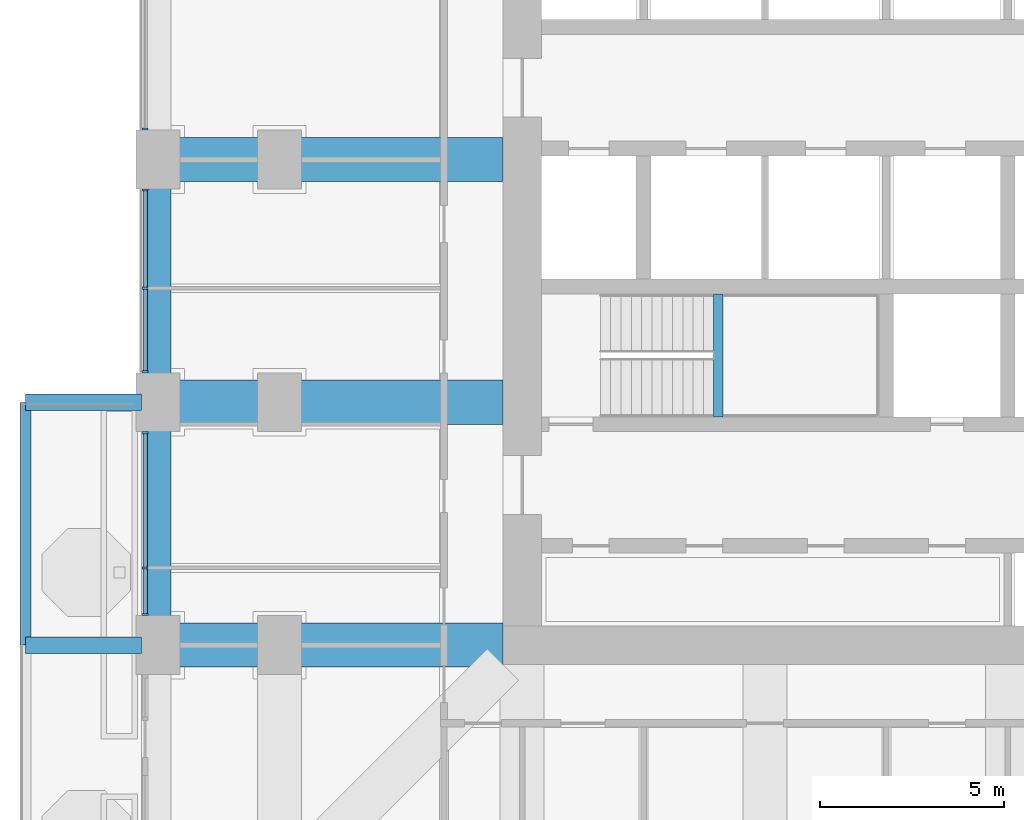
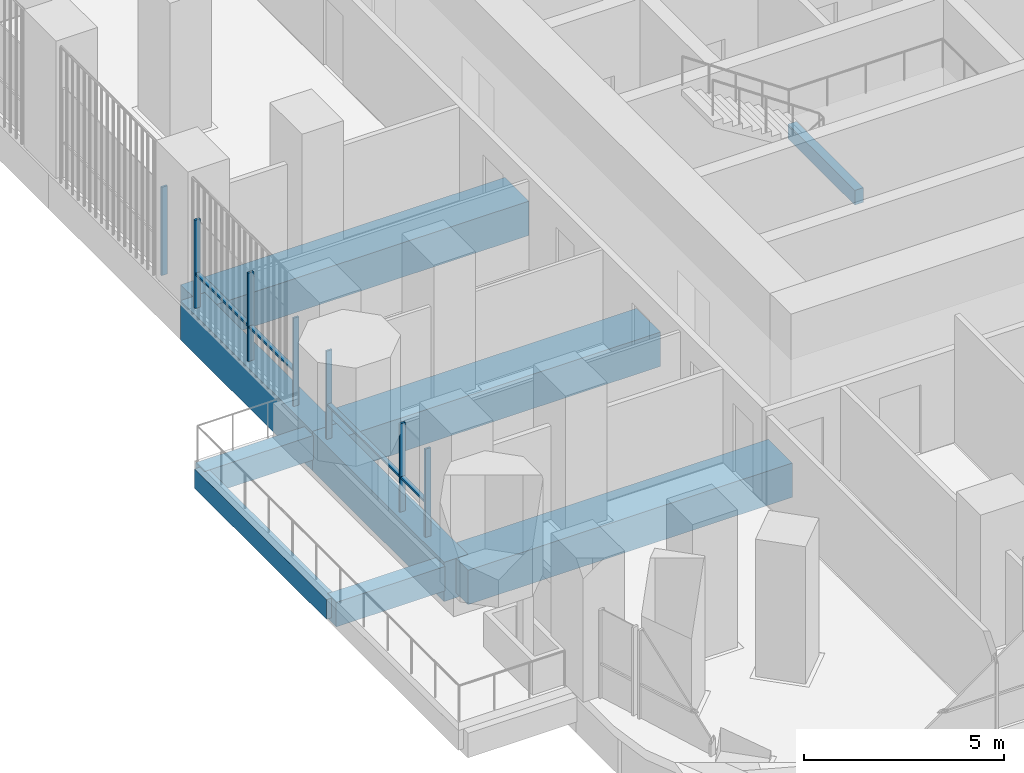
# One storey, part 4 of 21: 11 members, 9 beams, 3 elements without a shape of their own.
"""IFC4 building model written with IfcOpenShell, lengths in metres."""

from ifc_helpers import new_model, si_unit, direction, frame, origin, origin_2d, place, context, subcontext, project, spatial, rectangle, extrude, material, material_profile, profile_set, type_object, element, aggregate, save


model = new_model("IFC4")

# Units and contexts
model_context = context("Model", 3, precision=1e-05, world=origin(), true_north=direction((0.0, 1.0)))
body_context = subcontext(model_context, "Body", "Model", "MODEL_VIEW")
ifc_project = project(units=[si_unit("LENGTHUNIT", "METRE"), si_unit("AREAUNIT", "SQUARE_METRE"), si_unit("VOLUMEUNIT", "CUBIC_METRE"), si_unit("PLANEANGLEUNIT", "RADIAN"), si_unit("MASSUNIT", "GRAM", prefix="KILO")], contexts=[model_context])

# Site, building, storey
site_placement = place(None, origin())
site = spatial("IfcSite", under=ifc_project, at=site_placement, CompositionType="ELEMENT")
building_placement = place(site_placement, origin())
building = spatial("IfcBuilding", under=site, at=building_placement, Name="Cobogo Forest Laboratory Tower", CompositionType="ELEMENT")
storey_placement = place(building_placement, frame((0.0, 0.0, 99.0)))
storey = spatial("IfcBuildingStorey", under=building, at=storey_placement, Name="L22", CompositionType="ELEMENT", Elevation=99.0)

# Beams
ifc_material_1 = material(Name="Concrete HA-40 (C40/50)", Category="concrete")
ifc_material_profile_1 = material_profile(ifc_material_1, rectangle(XDim=0.449951171875, YDim=0.75, at=origin_2d()), Name="RC 450x750")
ifc_profile_set_1 = profile_set([ifc_material_profile_1], Name="Concrete HA-40 (C40/50)")
beam_type_1 = type_object("IfcBeamType", Name="Balcony cantilever beam 450x750", PredefinedType="BEAM", material=ifc_profile_set_1)
for number, where, z_axis, x_axis, name in (
    (1, (2.85009765625, 13.199951171875, -0.625), (-1.0, 0.0, 0.0), (0.0, -1.0, 0.0), "CB1 BAL-W1-C2 L22"),
    (2, (2.85009765625, 19.800048828125, -0.625), (-1.0, 0.0, 0.0), (0.0, -1.0, 0.0), "CB1 BAL-W1-C3 L22"),
):
    element("IfcBeam", number, at=place(storey_placement, frame(where, z_axis=z_axis, x_axis=x_axis)), inside=storey, type_object=beam_type_1, Name=name, PredefinedType="BEAM", context=body_context, shape_type="SweptSolid", body=[
        extrude(rectangle(XDim=0.449951171875, YDim=0.75, at=origin_2d()), origin(), (0.0, 0.0, 1.0), 3.150146484375),
    ])
ifc_material_profile_2 = material_profile(ifc_material_1, rectangle(XDim=0.300048828125, YDim=0.60009765625, at=origin_2d()), Name="RC 300x600")
ifc_profile_set_2 = profile_set([ifc_material_profile_2], Name="Concrete HA-40 (C40/50)")
beam_type_2 = type_object("IfcBeamType", Name="Balcony edge beam 300x600", PredefinedType="BEAM", material=ifc_profile_set_2)
beam_1_placement = place(storey_placement, frame((-0.300048828125, 13.199951171875, -0.550048828125), z_axis=(0.0, 1.0, 0.0), x_axis=(-1.0, 0.0, 0.0)))
element("IfcBeam", 3, at=beam_1_placement, inside=storey, type_object=beam_type_2, Name="BB1 BAL-W1-T2 L22", PredefinedType="BEAM", context=body_context, shape_type="SweptSolid", body=[
    extrude(rectangle(XDim=0.300048828125, YDim=0.60009765625, at=origin_2d()), origin(), (0.0, 0.0, 1.0), 6.60009765625),
])
ifc_material_profile_3 = material_profile(ifc_material_1, rectangle(XDim=0.25, YDim=0.449951171875, at=origin_2d()), Name="RC 250x450")
ifc_profile_set_3 = profile_set([ifc_material_profile_3], Name="Concrete HA-40 (C40/50)")
beam_type_3 = type_object("IfcBeamType", Name="LB1 landing beam 250x450", PredefinedType="BEAM", material=ifc_profile_set_3)
beam_2_placement = place(storey_placement, frame((18.530029296875, 19.39990234375, 1.675048828125), z_axis=(0.0, 1.0, 0.0), x_axis=(-1.0, 0.0, 0.0)))
element("IfcBeam", 4, at=beam_2_placement, inside=storey, type_object=beam_type_3, Name="Landing beam ST1 L22", PredefinedType="BEAM", context=body_context, shape_type="SweptSolid", body=[
    extrude(rectangle(XDim=0.25, YDim=0.449951171875, at=origin_2d()), origin(), (0.0, 0.0, 1.0), 3.35009765625),
])
ifc_material_profile_4 = material_profile(ifc_material_1, rectangle(XDim=1.199951171875, YDim=1.050048828125, at=origin_2d()), Name="RC 1200x1050")
ifc_profile_set_4 = profile_set([ifc_material_profile_4], Name="Concrete HA-40 (C40/50)")
beam_type_4 = type_object("IfcBeamType", Name="Laboratory floor wide beam 1200x1050", PredefinedType="BEAM", material=ifc_profile_set_4)
for number, where, z_axis, x_axis, name in (
    (5, (12.675048828125, 13.199951171875, -0.824951171875), (-1.0, 0.0, 0.0), (0.0, -1.0, 0.0), "RB1 R-C-W L22"),
    (6, (12.675048828125, 19.800048828125, -0.824951171875), (-1.0, 0.0, 0.0), (0.0, -1.0, 0.0), "RB1 R-D-W L22"),
    (7, (12.675048828125, 26.39990234375, -0.824951171875), (-1.0, 0.0, 0.0), (0.0, -1.0, 0.0), "RB1 R-E-W L22"),
):
    element("IfcBeam", number, at=place(storey_placement, frame(where, z_axis=z_axis, x_axis=x_axis)), inside=storey, type_object=beam_type_4, Name=name, PredefinedType="BEAM", context=body_context, shape_type="SweptSolid", body=[
        extrude(rectangle(XDim=1.199951171875, YDim=1.050048828125, at=origin_2d()), origin(), (0.0, 0.0, 1.0), 9.375),
    ])

# Curtain wall, member
ifc_material_2 = material(Name="Aluminium curtain wall", Category="aluminium")
curtain_wall_type = type_object("IfcCurtainWallType", Name="CW-1 unitised curtain wall, clear glazing, laboratory floors zones A and B", PredefinedType="USERDEFINED", material=ifc_material_2)
curtain_wall_1_placement = place(storey_placement, origin())
curtain_wall_1 = element("IfcCurtainWall", 8, at=curtain_wall_1_placement, inside=storey, type_object=curtain_wall_type, Name="Curtain wall 28 L22", ObjectType="UNITISED CURTAIN WALL", PredefinedType="USERDEFINED")
ifc_material_3 = material(Name="Aluminium mullion", Category="aluminium")
ifc_material_profile_5 = material_profile(ifc_material_3, rectangle(XDim=0.06005859375, YDim=0.159912109375, at=origin_2d()), Name="AL 60x160")
ifc_profile_set_5 = profile_set([ifc_material_profile_5], Name="Aluminium mullion")
member_type_1 = type_object("IfcMemberType", Name="MU-1 aluminium mullion 60x160", PredefinedType="MULLION", material=ifc_profile_set_5)
member_1_placement = place(storey_placement, frame((2.949951171875, 27.22998046875, 0.0), z_axis=(0.0, 0.0, 1.0), x_axis=(0.0, -1.0, 0.0)))
member_1 = element("IfcMember", 9, at=member_1_placement, type_object=member_type_1, Name="CW-1 mullion 2", PredefinedType="MULLION", context=body_context, shape_type="SweptSolid", body=[
    extrude(rectangle(XDim=0.06005859375, YDim=0.159912109375, at=origin_2d()), origin(), (0.0, 0.0, 1.0), 2.699951171875),
])
aggregate(curtain_wall_1, [member_1])

# Curtain wall, members
curtain_wall_2_placement = place(storey_placement, origin())
curtain_wall_2 = element("IfcCurtainWall", 10, at=curtain_wall_2_placement, inside=storey, type_object=curtain_wall_type, Name="Curtain wall 29 L22", ObjectType="UNITISED CURTAIN WALL", PredefinedType="USERDEFINED")
member_2_placement = place(storey_placement, frame((2.949951171875, 25.570068359375, 0.0), z_axis=(0.0, 0.0, 1.0), x_axis=(0.0, -1.0, 0.0)))
member_2 = element("IfcMember", 11, at=member_2_placement, type_object=member_type_1, Name="CW-1 mullion 1", PredefinedType="MULLION", context=body_context, shape_type="SweptSolid", body=[
    extrude(rectangle(XDim=0.06005859375, YDim=0.159912109375, at=origin_2d()), origin(), (0.0, 0.0, 1.0), 2.699951171875),
])
member_3_placement = place(storey_placement, frame((2.949951171875, 22.89990234375, 0.0), z_axis=(0.0, 0.0, 1.0), x_axis=(0.0, -1.0, 0.0)))
member_3 = element("IfcMember", 12, at=member_3_placement, type_object=member_type_1, Name="CW-1 mullion 2", PredefinedType="MULLION", context=body_context, shape_type="SweptSolid", body=[
    extrude(rectangle(XDim=0.06005859375, YDim=0.159912109375, at=origin_2d()), origin(), (0.0, 0.0, 1.0), 2.699951171875),
])
member_4_placement = place(storey_placement, frame((2.949951171875, 20.6298828125, 0.0), z_axis=(0.0, 0.0, 1.0), x_axis=(0.0, -1.0, 0.0)))
member_4 = element("IfcMember", 13, at=member_4_placement, type_object=member_type_1, Name="CW-1 mullion 3", PredefinedType="MULLION", context=body_context, shape_type="SweptSolid", body=[
    extrude(rectangle(XDim=0.06005859375, YDim=0.159912109375, at=origin_2d()), origin(), (0.0, 0.0, 1.0), 2.699951171875),
])

curtain_wall_3_placement = place(storey_placement, origin())
curtain_wall_3 = element("IfcCurtainWall", 14, at=curtain_wall_3_placement, inside=storey, type_object=curtain_wall_type, Name="Curtain wall 30 L22", ObjectType="UNITISED CURTAIN WALL", PredefinedType="USERDEFINED")
member_5_placement = place(storey_placement, frame((2.949951171875, 18.969970703125, 0.0), z_axis=(0.0, 0.0, 1.0), x_axis=(0.0, -1.0, 0.0)))
member_5 = element("IfcMember", 15, at=member_5_placement, type_object=member_type_1, Name="CW-1 mullion 1", PredefinedType="MULLION", context=body_context, shape_type="SweptSolid", body=[
    extrude(rectangle(XDim=0.06005859375, YDim=0.159912109375, at=origin_2d()), origin(), (0.0, 0.0, 1.0), 2.699951171875),
])
member_6_placement = place(storey_placement, frame((2.949951171875, 15.300048828125, 0.0), z_axis=(0.0, 0.0, 1.0), x_axis=(0.0, -1.0, 0.0)))
member_6 = element("IfcMember", 16, at=member_6_placement, type_object=member_type_1, Name="CW-1 mullion 2", PredefinedType="MULLION", context=body_context, shape_type="SweptSolid", body=[
    extrude(rectangle(XDim=0.06005859375, YDim=0.159912109375, at=origin_2d()), origin(), (0.0, 0.0, 1.0), 2.699951171875),
])
member_7_placement = place(storey_placement, frame((2.949951171875, 14.030029296875, 0.0), z_axis=(0.0, 0.0, 1.0), x_axis=(0.0, -1.0, 0.0)))
member_7 = element("IfcMember", 17, at=member_7_placement, type_object=member_type_1, Name="CW-1 mullion 3", PredefinedType="MULLION", context=body_context, shape_type="SweptSolid", body=[
    extrude(rectangle(XDim=0.06005859375, YDim=0.159912109375, at=origin_2d()), origin(), (0.0, 0.0, 1.0), 2.699951171875),
])

# Beams
ifc_material_profile_6 = material_profile(ifc_material_1, rectangle(XDim=0.699951171875, YDim=1.199951171875, at=origin_2d()), Name="RC 700x1200")
ifc_profile_set_6 = profile_set([ifc_material_profile_6], Name="Concrete HA-40 (C40/50)")
beam_type_5 = type_object("IfcBeamType", Name="Perimeter edge beam 700x1200", PredefinedType="BEAM", material=ifc_profile_set_6)
beam_3_placement = place(storey_placement, frame((3.300048828125, 13.199951171875, -0.89990234375), z_axis=(0.0, 1.0, 0.0), x_axis=(-1.0, 0.0, 0.0)))
element("IfcBeam", 18, at=beam_3_placement, inside=storey, type_object=beam_type_5, Name="EB1 E-W2 L22", PredefinedType="BEAM", context=body_context, shape_type="SweptSolid", body=[
    extrude(rectangle(XDim=0.699951171875, YDim=1.199951171875, at=origin_2d()), origin(), (0.0, 0.0, 1.0), 6.60009765625),
])
beam_4_placement = place(storey_placement, frame((3.300048828125, 19.800048828125, -0.89990234375), z_axis=(0.0, 1.0, 0.0), x_axis=(-1.0, 0.0, 0.0)))
element("IfcBeam", 19, at=beam_4_placement, inside=storey, type_object=beam_type_5, Name="EB1 E-W3 L22", PredefinedType="BEAM", context=body_context, shape_type="SweptSolid", body=[
    extrude(rectangle(XDim=0.699951171875, YDim=1.199951171875, at=origin_2d()), origin(), (0.0, 0.0, 1.0), 6.599853515625),
])

# Member
ifc_material_4 = material(Name="Aluminium transom", Category="aluminium")
ifc_material_profile_7 = material_profile(ifc_material_4, rectangle(XDim=0.1201171875, YDim=0.06005859375, at=origin_2d()), Name="AL 60x120")
ifc_profile_set_7 = profile_set([ifc_material_profile_7], Name="Aluminium transom")
member_type_2 = type_object("IfcMemberType", Name="TR-1 aluminium transom 60x120", PredefinedType="USERDEFINED", material=ifc_profile_set_7)
member_8_placement = place(storey_placement, frame((2.949951171875, 25.5400390625, 1.050048828125), z_axis=(0.0, -1.0, 0.0), x_axis=(1.0, 0.0, 0.0)))
member_8 = element("IfcMember", 20, at=member_8_placement, type_object=member_type_2, Name="CW-1 transom 1.1", ObjectType="TRANSOM", PredefinedType="USERDEFINED", context=body_context, shape_type="SweptSolid", body=[
    extrude(rectangle(XDim=0.1201171875, YDim=0.06005859375, at=origin_2d()), origin(), (0.0, 0.0, 1.0), 2.610107421875),
])

member_9_placement = place(storey_placement, frame((2.949951171875, 22.8701171875, 1.050048828125), z_axis=(0.0, -1.0, 0.0), x_axis=(1.0, 0.0, 0.0)))
member_9 = element("IfcMember", 21, at=member_9_placement, type_object=member_type_2, Name="CW-1 transom 2.1", ObjectType="TRANSOM", PredefinedType="USERDEFINED", context=body_context, shape_type="SweptSolid", body=[
    extrude(rectangle(XDim=0.1201171875, YDim=0.06005859375, at=origin_2d()), origin(), (0.0, 0.0, 1.0), 2.210205078125),
])

aggregate(curtain_wall_2, [member_2, member_3, member_4, member_8, member_9])

member_10_placement = place(storey_placement, frame((2.949951171875, 18.93994140625, 1.050048828125), z_axis=(0.0, -1.0, 0.0), x_axis=(1.0, 0.0, 0.0)))
member_10 = element("IfcMember", 22, at=member_10_placement, type_object=member_type_2, Name="CW-1 transom 1.1", ObjectType="TRANSOM", PredefinedType="USERDEFINED", context=body_context, shape_type="SweptSolid", body=[
    extrude(rectangle(XDim=0.1201171875, YDim=0.06005859375, at=origin_2d()), origin(), (0.0, 0.0, 1.0), 3.60986328125),
])

member_11_placement = place(storey_placement, frame((2.949951171875, 15.27001953125, 1.050048828125), z_axis=(0.0, -1.0, 0.0), x_axis=(1.0, 0.0, 0.0)))
member_11 = element("IfcMember", 23, at=member_11_placement, type_object=member_type_2, Name="CW-1 transom 2.1", ObjectType="TRANSOM", PredefinedType="USERDEFINED", context=body_context, shape_type="SweptSolid", body=[
    extrude(rectangle(XDim=0.1201171875, YDim=0.06005859375, at=origin_2d()), origin(), (0.0, 0.0, 1.0), 1.2099609375),
])

aggregate(curtain_wall_3, [member_5, member_6, member_7, member_10, member_11])

save(model, "model.ifc")
